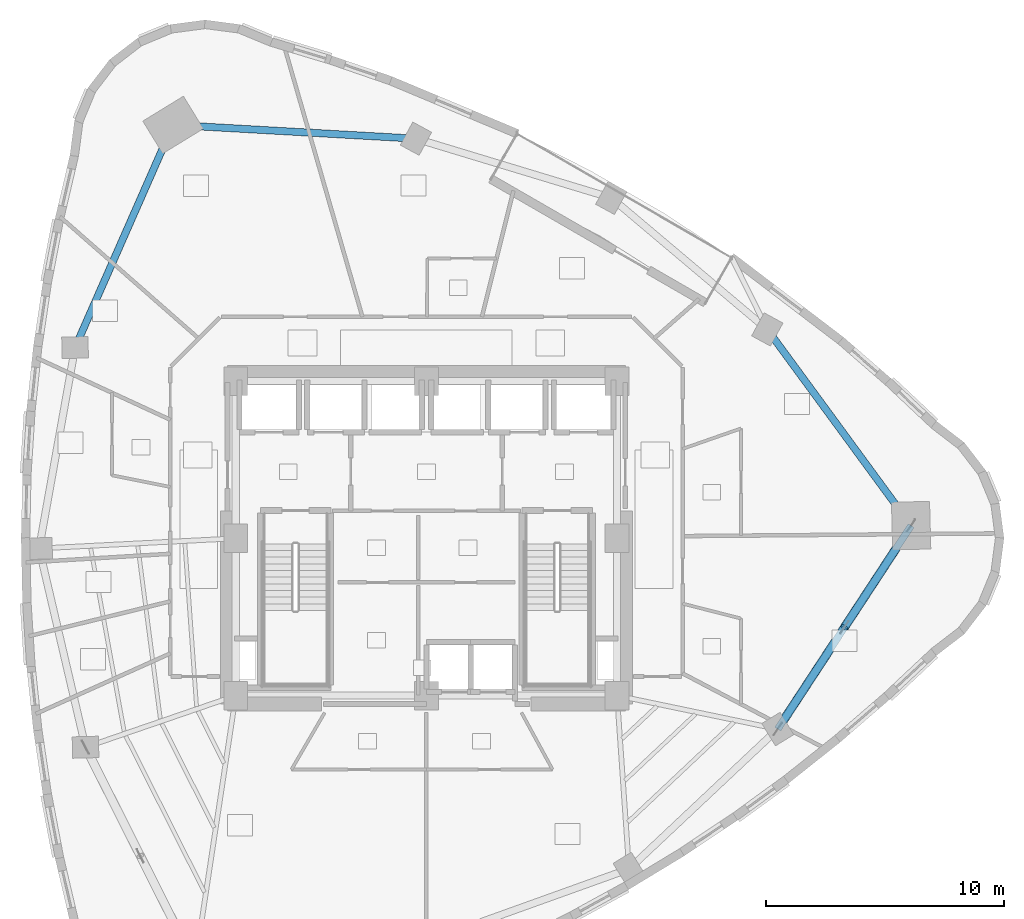
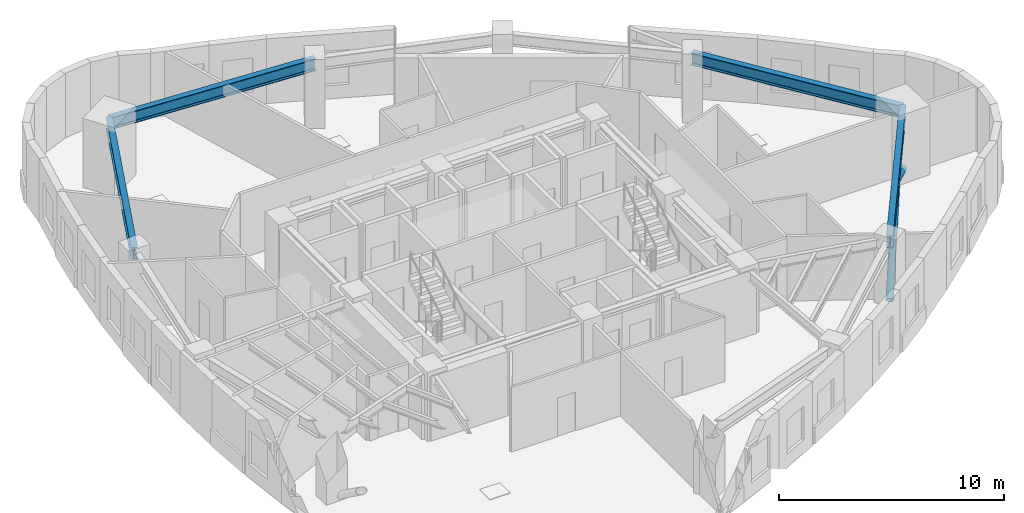
# One storey, part 3 of 14: 4 beams, 2 members.
"""IFC4 building model written with IfcOpenShell, lengths in metres."""

from ifc_helpers import new_model, si_unit, direction, frame, origin, origin_2d, place, context, subcontext, project, spatial, hollow_circle, i_section, extrude, material, material_profile, profile_set, type_object, element, save


model = new_model("IFC4")

# Units and contexts
model_context = context("Model", 3, precision=1e-05, world=origin(), true_north=direction((0.0, 1.0)))
body_context = subcontext(model_context, "Body", "Model", "MODEL_VIEW")
ifc_project = project(units=[si_unit("LENGTHUNIT", "METRE"), si_unit("AREAUNIT", "SQUARE_METRE"), si_unit("VOLUMEUNIT", "CUBIC_METRE"), si_unit("PLANEANGLEUNIT", "RADIAN"), si_unit("MASSUNIT", "GRAM", prefix="KILO")], contexts=[model_context])

# Site, building, storey
site_placement = place(None, origin())
site = spatial("IfcSite", under=ifc_project, at=site_placement, CompositionType="ELEMENT")
building_placement = place(site_placement, origin())
building = spatial("IfcBuilding", under=site, at=building_placement, Name="Ndelora Gate Hotel", CompositionType="ELEMENT")
storey_placement = place(building_placement, frame((0.0, 0.0, 127.25)))
storey = spatial("IfcBuildingStorey", under=building, at=storey_placement, Name="L31", CompositionType="ELEMENT", Elevation=127.25)

# Beams
ifc_material = material(Name="Steel S355", Category="steel")
ifc_material_profile_1 = material_profile(ifc_material, i_section(OverallWidth=0.300048828125, OverallDepth=0.64990234375, WebThickness=0.01611328125, FlangeThickness=0.031005859375, FilletRadius=0.027099609375, at=origin_2d()), Name="HEB 650")
ifc_profile_set_1 = profile_set([ifc_material_profile_1], Name="Steel S355")
beam_type = type_object("IfcBeamType", Name="BM-RING-650", PredefinedType="SPANDREL", material=ifc_profile_set_1)
beam_1_placement = place(storey_placement, frame((-10.63330078125, 17.351806640625, 3.175048828125), z_axis=(-0.402852396707, -0.915264959707, 0.0), x_axis=(0.915264959707, -0.402852396707, 0.0)))
element("IfcBeam", 1, at=beam_1_placement, inside=storey, type_object=beam_type, Name="L31 Perimeter Spandrel Girder 1", PredefinedType="SPANDREL", context=body_context, shape_type="SweptSolid", body=[
    extrude(i_section(OverallWidth=0.300048828125, OverallDepth=0.64990234375, WebThickness=0.01611328125, FlangeThickness=0.031005859375, FilletRadius=0.027099609375, at=origin_2d()), origin(), (0.0, 0.0, 1.0), 10.21044921875),
])
for number, where, z_axis, x_axis, name in (
    (2, (14.74658203125, -8.006591796875, 3.175048828125), (0.548194123818, 0.836351123998, 0.0), (-0.836351123998, 0.548194123818, 0.0), "L31 Perimeter Spandrel Girder 8"),
    (3, (20.34375, 0.53271484375, 3.175048828125), (-0.591229932094, 0.806503048597, 0.0), (-0.806503048597, -0.591229932094, 0.0), "L31 Perimeter Spandrel Girder 9"),
):
    element("IfcBeam", number, at=place(storey_placement, frame(where, z_axis=z_axis, x_axis=x_axis)), inside=storey, type_object=beam_type, Name=name, PredefinedType="SPANDREL", context=body_context, shape_type="SweptSolid", body=[
        extrude(i_section(OverallWidth=0.300048828125, OverallDepth=0.64990234375, WebThickness=0.01611328125, FlangeThickness=0.031005859375, FilletRadius=0.027099609375, at=origin_2d()), origin(), (0.0, 0.0, 1.0), 10.210205078125),
    ])
beam_2_placement = place(storey_placement, frame((-0.439208984375, 16.7744140625, 3.175048828125), z_axis=(-0.998399808671, 0.056549288648, 0.0), x_axis=(-0.056549288648, -0.998399808671, 0.0)))
element("IfcBeam", 4, at=beam_2_placement, inside=storey, type_object=beam_type, Name="L31 Perimeter Spandrel Girder 12", PredefinedType="SPANDREL", context=body_context, shape_type="SweptSolid", body=[
    extrude(i_section(OverallWidth=0.300048828125, OverallDepth=0.64990234375, WebThickness=0.01611328125, FlangeThickness=0.031005859375, FilletRadius=0.027099609375, at=origin_2d()), origin(), (0.0, 0.0, 1.0), 10.21044921875),
])

# Members
ifc_material_profile_2 = material_profile(ifc_material, hollow_circle(Radius=0.177978515625, WallThickness=0.01611328125, at=origin_2d()), Name="CHS 356x16")
ifc_profile_set_2 = profile_set([ifc_material_profile_2], Name="Steel S355")
member_type = type_object("IfcMemberType", Name="MB-TUBE-356", PredefinedType="BRACE", material=ifc_profile_set_2)
member_1_placement = place(storey_placement, frame((14.74658203125, -8.006591796875, 0.02001953125), z_axis=(0.47546124485, 0.725365632901, 0.497776358671), x_axis=(-0.836343937987, 0.548205086982, 0.0)))
element("IfcMember", 5, at=member_1_placement, inside=storey, type_object=member_type, Name="L31 Perimeter Braced-Tube Diagonal 8A", PredefinedType="BRACE", context=body_context, shape_type="SweptSolid", body=[
    extrude(hollow_circle(Radius=0.177978515625, WallThickness=0.01611328125, at=origin_2d()), origin(), (0.0, 0.0, 1.0), 5.885986328125),
])
member_2_placement = place(storey_placement, frame((20.34375, 0.53271484375, 0.02001953125), z_axis=(-0.475446940052, -0.7253852861, 0.497761382497), x_axis=(0.836358309577, -0.548183160997, 0.0)))
element("IfcMember", 6, at=member_2_placement, inside=storey, type_object=member_type, Name="L31 Perimeter Braced-Tube Diagonal 8B", PredefinedType="BRACE", context=body_context, shape_type="SweptSolid", body=[
    extrude(hollow_circle(Radius=0.177978515625, WallThickness=0.01611328125, at=origin_2d()), origin(), (0.0, 0.0, 1.0), 5.88623046875),
])

save(model, "model.ifc")
